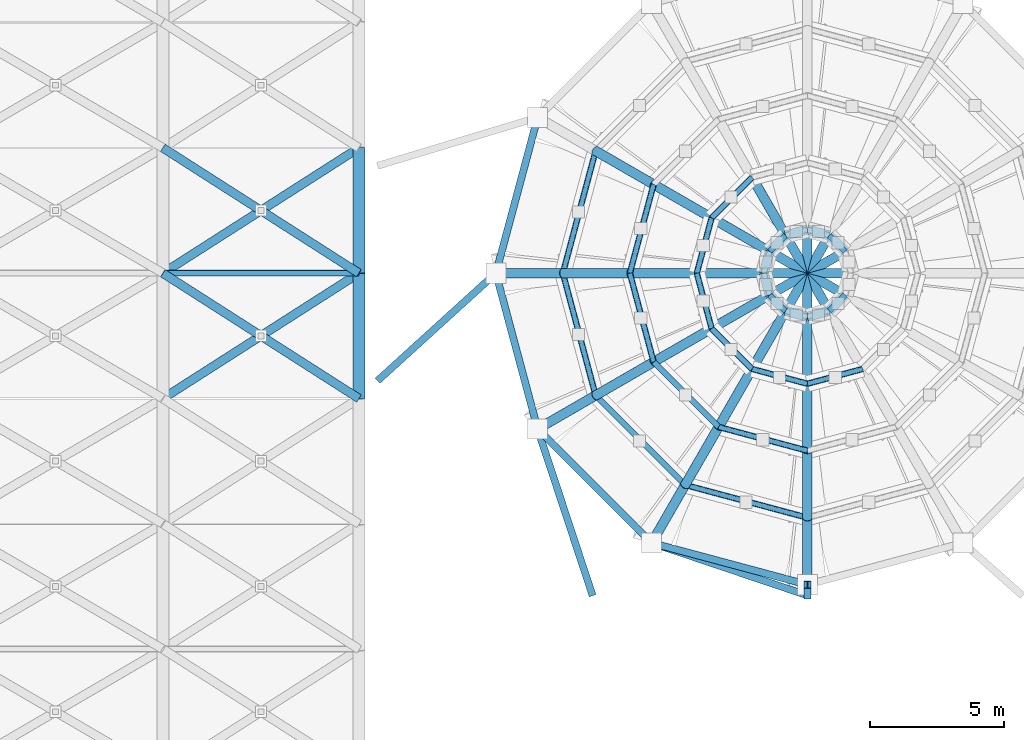
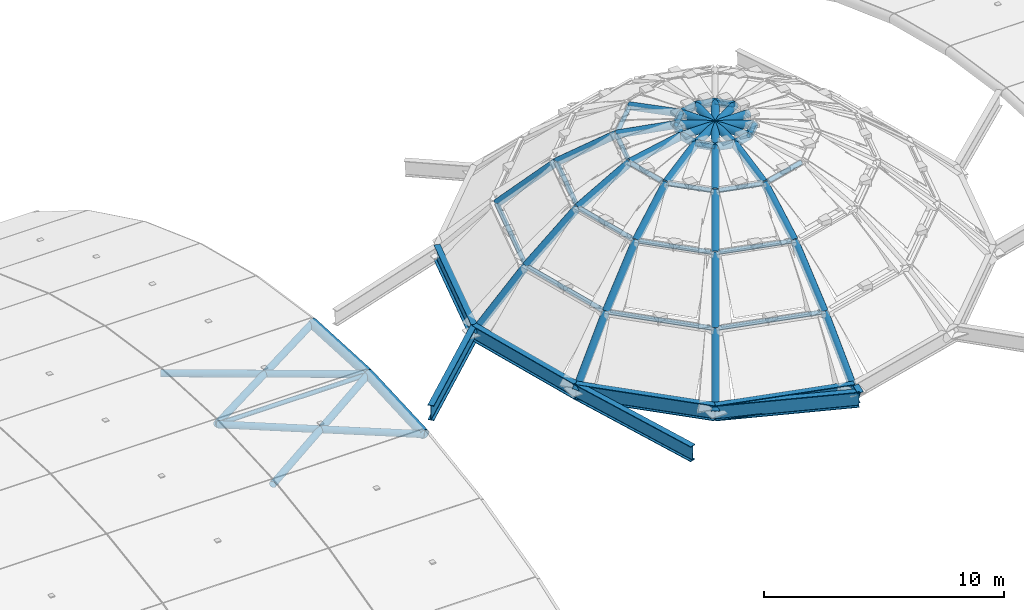
# One storey, part 4 of 21: 69 members, 8 beams.
"""IFC4 building model written with IfcOpenShell, lengths in metres."""

from ifc_helpers import new_model, si_unit, direction, frame, origin, origin_2d, place, context, subcontext, project, spatial, hollow_circle, i_section, extrude, material, material_profile, profile_set, type_object, element, save


model = new_model("IFC4")

# Units and contexts
model_context = context("Model", 3, precision=1e-05, world=origin(), true_north=direction((0.0, 1.0)))
body_context = subcontext(model_context, "Body", "Model", "MODEL_VIEW")
ifc_project = project(units=[si_unit("LENGTHUNIT", "METRE"), si_unit("AREAUNIT", "SQUARE_METRE"), si_unit("VOLUMEUNIT", "CUBIC_METRE"), si_unit("PLANEANGLEUNIT", "RADIAN"), si_unit("MASSUNIT", "GRAM", prefix="KILO")], contexts=[model_context])

# Site, building, storey
site_placement = place(None, origin())
site = spatial("IfcSite", under=ifc_project, at=site_placement, CompositionType="ELEMENT")
building_placement = place(site_placement, origin())
building = spatial("IfcBuilding", under=site, at=building_placement, Name="Solmirada Galleria", CompositionType="ELEMENT")
storey_placement = place(building_placement, frame((0.0, 0.0, 37.5)))
storey = spatial("IfcBuildingStorey", under=building, at=storey_placement, Name="RF", CompositionType="ELEMENT", Elevation=37.5)

# Beams
ifc_material_1 = material(Name="Steel S355 / ASTM A992 Grade 50", Category="steel")
ifc_material_profile_1 = material_profile(ifc_material_1, i_section(OverallWidth=0.26708984375, OverallDepth=0.779052734375, WebThickness=0.0166015625, FlangeThickness=0.030029296875, FilletRadius=0.01904296875, at=origin_2d()), Name="W30X148")
ifc_profile_set_1 = profile_set([ifc_material_profile_1], Name="Steel S355 / ASTM A992 Grade 50")
beam_type = type_object("IfcBeamType", Name="BM-DOME-RING", PredefinedType="BEAM", material=ifc_profile_set_1)
beam_1_placement = place(storey_placement, frame((85.9541015625, 65.800048828125, 0.0), z_axis=(-0.258831602855, -0.965922461362, 0.0), x_axis=(0.965922461362, -0.258831602855, 0.0)))
element("IfcBeam", 1, at=beam_1_placement, inside=storey, type_object=beam_type, Name="Atrium dome tension ring beam 6", PredefinedType="BEAM", context=body_context, shape_type="SweptSolid", body=[
    extrude(i_section(OverallWidth=0.26708984375, OverallDepth=0.779052734375, WebThickness=0.0166015625, FlangeThickness=0.030029296875, FilletRadius=0.01904296875, at=origin_2d()), origin(), (0.0, 0.0, 1.0), 6.004638671875),
])
beam_2_placement = place(storey_placement, frame((80.0, 56.0, -0.14990234375), z_axis=(0.739697640812, 0.672467325883, 0.025201107061), x_axis=(-0.672680968237, 0.739932642186, 0.0)))
element("IfcBeam", 2, at=beam_2_placement, inside=storey, type_object=beam_type, Name="Atrium dome drum anchor beam 7", PredefinedType="BEAM", context=body_context, shape_type="SweptSolid", body=[
    extrude(i_section(OverallWidth=0.26708984375, OverallDepth=0.779052734375, WebThickness=0.0166015625, FlangeThickness=0.030029296875, FilletRadius=0.01904296875, at=origin_2d()), origin(), (0.0, 0.0, 1.0), 5.9482421875),
])
beam_3_placement = place(storey_placement, frame((84.39990234375, 60.0, 0.0), z_axis=(0.258831602855, -0.965922461362, 0.0), x_axis=(0.965922461362, 0.258831602855, 0.0)))
element("IfcBeam", 3, at=beam_3_placement, inside=storey, type_object=beam_type, Name="Atrium dome tension ring beam 7", PredefinedType="BEAM", context=body_context, shape_type="SweptSolid", body=[
    extrude(i_section(OverallWidth=0.26708984375, OverallDepth=0.779052734375, WebThickness=0.0166015625, FlangeThickness=0.030029296875, FilletRadius=0.01904296875, at=origin_2d()), origin(), (0.0, 0.0, 1.0), 6.004638671875),
])
beam_4_placement = place(storey_placement, frame((88.0, 48.0, -0.14990234375), z_axis=(-0.313283085441, 0.949382333504, 0.02295415447), x_axis=(-0.949632543935, -0.313365651434, 0.0)))
element("IfcBeam", 4, at=beam_4_placement, inside=storey, type_object=beam_type, Name="Atrium dome drum anchor beam 8", PredefinedType="BEAM", context=body_context, shape_type="SweptSolid", body=[
    extrude(i_section(OverallWidth=0.26708984375, OverallDepth=0.779052734375, WebThickness=0.0166015625, FlangeThickness=0.030029296875, FilletRadius=0.01904296875, at=origin_2d()), origin(), (0.0, 0.0, 1.0), 6.530517578125),
])
beam_5_placement = place(storey_placement, frame((85.9541015625, 54.199951171875, 0.0), z_axis=(0.707106781187, -0.707106781187, 0.0), x_axis=(0.707106781187, 0.707106781187, 0.0)))
element("IfcBeam", 5, at=beam_5_placement, inside=storey, type_object=beam_type, Name="Atrium dome tension ring beam 8", PredefinedType="BEAM", context=body_context, shape_type="SweptSolid", body=[
    extrude(i_section(OverallWidth=0.26708984375, OverallDepth=0.779052734375, WebThickness=0.0166015625, FlangeThickness=0.030029296875, FilletRadius=0.01904296875, at=origin_2d()), origin(), (0.0, 0.0, 1.0), 6.004638671875),
])
beam_6_placement = place(storey_placement, frame((96.0, 48.0, -0.14990234375), z_axis=(-0.947377090434, 0.319181977179, 0.024484974261), x_axis=(-0.319277697246, -0.947661201085, 0.0)))
element("IfcBeam", 6, at=beam_6_placement, inside=storey, type_object=beam_type, Name="Atrium dome drum anchor beam 9", PredefinedType="BEAM", context=body_context, shape_type="SweptSolid", body=[
    extrude(i_section(OverallWidth=0.26708984375, OverallDepth=0.779052734375, WebThickness=0.0166015625, FlangeThickness=0.030029296875, FilletRadius=0.01904296875, at=origin_2d()), origin(), (0.0, 0.0, 1.0), 6.122314453125),
])
beam_7_placement = place(storey_placement, frame((90.199951171875, 49.9541015625, 0.0), z_axis=(0.965922461362, -0.258831602855, 0.0), x_axis=(0.258831602855, 0.965922461362, 0.0)))
element("IfcBeam", 7, at=beam_7_placement, inside=storey, type_object=beam_type, Name="Atrium dome tension ring beam 9", PredefinedType="BEAM", context=body_context, shape_type="SweptSolid", body=[
    extrude(i_section(OverallWidth=0.26708984375, OverallDepth=0.779052734375, WebThickness=0.0166015625, FlangeThickness=0.030029296875, FilletRadius=0.01904296875, at=origin_2d()), origin(), (0.0, 0.0, 1.0), 6.004638671875),
])
beam_8_placement = place(storey_placement, frame((96.0, 48.0, -0.14990234375), z_axis=(0.0, 0.936376154793, 0.350998143494), x_axis=(-1.0, 0.0, 0.0)))
element("IfcBeam", 8, at=beam_8_placement, inside=storey, type_object=beam_type, Name="Atrium dome drum anchor beam 10", PredefinedType="BEAM", context=body_context, shape_type="SweptSolid", body=[
    extrude(i_section(OverallWidth=0.26708984375, OverallDepth=0.779052734375, WebThickness=0.0166015625, FlangeThickness=0.030029296875, FilletRadius=0.01904296875, at=origin_2d()), origin(), (0.0, 0.0, 1.0), 0.427001953125),
])

# Members
ifc_material_2 = material(Name="Steel S355 / ASTM A500 Grade C", Category="steel")
ifc_material_profile_2 = material_profile(ifc_material_2, hollow_circle(Radius=0.109619140625, WallThickness=0.007568359375, at=origin_2d()), Name="HSS8.625X0.322")
ifc_profile_set_2 = profile_set([ifc_material_profile_2], Name="Steel S355 / ASTM A500 Grade C")
member_type_1 = type_object("IfcMemberType", Name="MEM-DOME-PURL", PredefinedType="PURLIN", material=ifc_profile_set_2)
member_1_placement = place(storey_placement, frame((72.0, 60.0, -0.360107421875), z_axis=(1.0, 0.0, 0.0), x_axis=(0.0, 1.0, 0.0)))
element("IfcMember", 9, at=member_1_placement, inside=storey, type_object=member_type_1, Name="Barrel gridshell longitudinal tie W06-06", PredefinedType="PURLIN", context=body_context, shape_type="SweptSolid", body=[
    extrude(hollow_circle(Radius=0.109619140625, WallThickness=0.007568359375, at=origin_2d()), origin(), (0.0, 0.0, 1.0), 7.300048828125),
])
for number, where, z_axis, x_axis, name in (
    (10, (88.114013671875, 64.552978515625, 2.4873046875), (-0.258819794647, -0.965925625449, 0.0), (0.965925625449, -0.258819794647, 0.0), "Atrium dome latitude ring purlin 6.1"),
    (11, (86.89404296875, 60.0, 2.4873046875), (0.258819794647, -0.965925625449, 0.0), (0.965925625449, 0.258819794647, 0.0), "Atrium dome latitude ring purlin 7.1"),
    (12, (88.114013671875, 55.447021484375, 2.4873046875), (0.707106781187, -0.707106781187, 0.0), (0.707106781187, 0.707106781187, 0.0), "Atrium dome latitude ring purlin 8.1"),
    (13, (91.447021484375, 52.114013671875, 2.4873046875), (0.965925625449, -0.258819794647, 0.0), (0.258819794647, 0.965925625449, 0.0), "Atrium dome latitude ring purlin 9.1"),
):
    element("IfcMember", number, at=place(storey_placement, frame(where, z_axis=z_axis, x_axis=x_axis)), inside=storey, type_object=member_type_1, Name=name, PredefinedType="PURLIN", context=body_context, shape_type="SweptSolid", body=[
        extrude(hollow_circle(Radius=0.109619140625, WallThickness=0.007568359375, at=origin_2d()), origin(), (0.0, 0.0, 1.0), 4.713623046875),
    ])
for number, where, z_axis, x_axis, name in (
    (14, (90.273681640625, 63.305908203125, 4.59619140625), (-0.258799077462, -0.965931176381, 0.0), (0.965931176381, -0.258799077462, 0.0), "Atrium dome latitude ring purlin 6.2"),
    (15, (89.387939453125, 60.0, 4.59619140625), (0.258799077462, -0.965931176381, 0.0), (0.965931176381, 0.258799077462, 0.0), "Atrium dome latitude ring purlin 7.2"),
):
    element("IfcMember", number, at=place(storey_placement, frame(where, z_axis=z_axis, x_axis=x_axis)), inside=storey, type_object=member_type_1, Name=name, PredefinedType="PURLIN", context=body_context, shape_type="SweptSolid", body=[
        extrude(hollow_circle(Radius=0.109619140625, WallThickness=0.007568359375, at=origin_2d()), origin(), (0.0, 0.0, 1.0), 3.422607421875),
    ])
member_2_placement = place(storey_placement, frame((90.273681640625, 56.694091796875, 4.59619140625), z_axis=(0.707106781187, -0.707106781187, 0.0), x_axis=(0.707106781187, 0.707106781187, 0.0)))
element("IfcMember", 16, at=member_2_placement, inside=storey, type_object=member_type_1, Name="Atrium dome latitude ring purlin 8.2", PredefinedType="PURLIN", context=body_context, shape_type="SweptSolid", body=[
    extrude(hollow_circle(Radius=0.109619140625, WallThickness=0.007568359375, at=origin_2d()), origin(), (0.0, 0.0, 1.0), 3.423095703125),
])
member_3_placement = place(storey_placement, frame((92.694091796875, 54.273681640625, 4.59619140625), z_axis=(0.965931176381, -0.258799077462, 0.0), x_axis=(0.258799077462, 0.965931176381, 0.0)))
element("IfcMember", 17, at=member_3_placement, inside=storey, type_object=member_type_1, Name="Atrium dome latitude ring purlin 9.2", PredefinedType="PURLIN", context=body_context, shape_type="SweptSolid", body=[
    extrude(hollow_circle(Radius=0.109619140625, WallThickness=0.007568359375, at=origin_2d()), origin(), (0.0, 0.0, 1.0), 3.422607421875),
])
for number, where, z_axis, x_axis, name in (
    (18, (93.94091796875, 63.56640625, 6.005126953125), (-0.707106781187, -0.707106781187, 0.0), (0.707106781187, -0.707106781187, 0.0), "Atrium dome latitude ring purlin 5.3"),
    (19, (92.43359375, 62.05908203125, 6.005126953125), (-0.258724635553, -0.965951118307, 0.0), (0.965951118307, -0.258724635553, 0.0), "Atrium dome latitude ring purlin 6.3"),
    (20, (91.882080078125, 60.0, 6.005126953125), (0.258724635553, -0.965951118307, 0.0), (0.965951118307, 0.258724635553, 0.0), "Atrium dome latitude ring purlin 7.3"),
    (21, (92.43359375, 57.94091796875, 6.005126953125), (0.707106781187, -0.707106781187, 0.0), (0.707106781187, 0.707106781187, 0.0), "Atrium dome latitude ring purlin 8.3"),
    (22, (93.94091796875, 56.43359375, 6.005126953125), (0.965951118307, -0.258724635553, 0.0), (0.258724635553, 0.965951118307, 0.0), "Atrium dome latitude ring purlin 9.3"),
    (23, (96.0, 55.882080078125, 6.005126953125), (0.965951118307, 0.258724635553, 0.0), (-0.258724635553, 0.965951118307, 0.0), "Atrium dome latitude ring purlin 10.3"),
):
    element("IfcMember", number, at=place(storey_placement, frame(where, z_axis=z_axis, x_axis=x_axis)), inside=storey, type_object=member_type_1, Name=name, PredefinedType="PURLIN", context=body_context, shape_type="SweptSolid", body=[
        extrude(hollow_circle(Radius=0.109619140625, WallThickness=0.007568359375, at=origin_2d()), origin(), (0.0, 0.0, 1.0), 2.131591796875),
    ])
for number, where, z_axis, x_axis, name in (
    (24, (97.406494140625, 60.81201171875, 6.5), (-0.707106781187, 0.707106781187, 0.0), (-0.707106781187, -0.707106781187, 0.0), "Atrium dome latitude ring purlin 2.4"),
    (25, (95.18798828125, 61.406494140625, 6.5), (-0.707106781187, -0.707106781187, 0.0), (0.707106781187, -0.707106781187, 0.0), "Atrium dome latitude ring purlin 5.4"),
    (26, (94.593505859375, 59.18798828125, 6.5), (0.707106781187, -0.707106781187, 0.0), (0.707106781187, 0.707106781187, 0.0), "Atrium dome latitude ring purlin 8.4"),
    (27, (96.81201171875, 58.593505859375, 6.5), (0.707106781187, 0.707106781187, 0.0), (-0.707106781187, 0.707106781187, 0.0), "Atrium dome latitude ring purlin 11.4"),
):
    element("IfcMember", number, at=place(storey_placement, frame(where, z_axis=z_axis, x_axis=x_axis)), inside=storey, type_object=member_type_1, Name=name, PredefinedType="PURLIN", context=body_context, shape_type="SweptSolid", body=[
        extrude(hollow_circle(Radius=0.109619140625, WallThickness=0.007568359375, at=origin_2d()), origin(), (0.0, 0.0, 1.0), 0.8408203125),
    ])
ifc_material_profile_3 = material_profile(ifc_material_2, hollow_circle(Radius=0.177978515625, WallThickness=0.01171875, at=origin_2d()), Name="HSS14.000X0.500")
ifc_profile_set_3 = profile_set([ifc_material_profile_3], Name="Steel S355 / ASTM A500 Grade C")
member_type_2 = type_object("IfcMemberType", Name="MEM-DOME-RIB", PredefinedType="RAFTER", material=ifc_profile_set_3)
member_4_placement = place(storey_placement, frame((97.6240234375, 60.0, 6.5), z_axis=(-1.0, 0.0, 0.0), x_axis=(0.0, -1.0, 0.0)))
element("IfcMember", 28, at=member_4_placement, inside=storey, type_object=member_type_2, Name="Atrium dome apex hub rib 1", PredefinedType="RAFTER", context=body_context, shape_type="SweptSolid", body=[
    extrude(hollow_circle(Radius=0.177978515625, WallThickness=0.01171875, at=origin_2d()), origin(), (0.0, 0.0, 1.0), 1.6240234375),
])
member_5_placement = place(storey_placement, frame((97.406494140625, 60.81201171875, 6.5), z_axis=(-0.707106781187, 0.707106781187, 0.0), x_axis=(-0.707106781187, -0.707106781187, 0.0)))
element("IfcMember", 29, at=member_5_placement, inside=storey, type_object=member_type_2, Name="Atrium dome crown compression ring 2", PredefinedType="RAFTER", context=body_context, shape_type="SweptSolid", body=[
    extrude(hollow_circle(Radius=0.177978515625, WallThickness=0.01171875, at=origin_2d()), origin(), (0.0, 0.0, 1.0), 0.8408203125),
])
member_6_placement = place(storey_placement, frame((97.406494140625, 60.81201171875, 6.5), z_axis=(-0.866032882975, -0.499987045439, 0.0), x_axis=(0.499987045439, -0.866032882975, 0.0)))
element("IfcMember", 30, at=member_6_placement, inside=storey, type_object=member_type_2, Name="Atrium dome apex hub rib 2", PredefinedType="RAFTER", context=body_context, shape_type="SweptSolid", body=[
    extrude(hollow_circle(Radius=0.177978515625, WallThickness=0.01171875, at=origin_2d()), origin(), (0.0, 0.0, 1.0), 1.6240234375),
])
member_7_placement = place(storey_placement, frame((96.81201171875, 61.406494140625, 6.5), z_axis=(-0.965940274247, 0.258765118567, 0.0), x_axis=(-0.258765118567, -0.965940274247, 0.0)))
element("IfcMember", 31, at=member_7_placement, inside=storey, type_object=member_type_2, Name="Atrium dome crown compression ring 3", PredefinedType="RAFTER", context=body_context, shape_type="SweptSolid", body=[
    extrude(hollow_circle(Radius=0.177978515625, WallThickness=0.01171875, at=origin_2d()), origin(), (0.0, 0.0, 1.0), 0.840576171875),
])
member_8_placement = place(storey_placement, frame((96.81201171875, 61.406494140625, 6.5), z_axis=(-0.499987045439, -0.866032882975, 0.0), x_axis=(0.866032882975, -0.499987045439, 0.0)))
element("IfcMember", 32, at=member_8_placement, inside=storey, type_object=member_type_2, Name="Atrium dome apex hub rib 3", PredefinedType="RAFTER", context=body_context, shape_type="SweptSolid", body=[
    extrude(hollow_circle(Radius=0.177978515625, WallThickness=0.01171875, at=origin_2d()), origin(), (0.0, 0.0, 1.0), 1.6240234375),
])
member_9_placement = place(storey_placement, frame((96.0, 61.6240234375, 6.5), z_axis=(-0.965940274247, -0.258765118567, 0.0), x_axis=(0.258765118567, -0.965940274247, 0.0)))
element("IfcMember", 33, at=member_9_placement, inside=storey, type_object=member_type_2, Name="Atrium dome crown compression ring 4", PredefinedType="RAFTER", context=body_context, shape_type="SweptSolid", body=[
    extrude(hollow_circle(Radius=0.177978515625, WallThickness=0.01171875, at=origin_2d()), origin(), (0.0, 0.0, 1.0), 0.840576171875),
])
member_10_placement = place(storey_placement, frame((96.0, 61.6240234375, 6.5), z_axis=(0.0, -1.0, 0.0), x_axis=(1.0, 0.0, 0.0)))
element("IfcMember", 34, at=member_10_placement, inside=storey, type_object=member_type_2, Name="Atrium dome apex hub rib 4", PredefinedType="RAFTER", context=body_context, shape_type="SweptSolid", body=[
    extrude(hollow_circle(Radius=0.177978515625, WallThickness=0.01171875, at=origin_2d()), origin(), (0.0, 0.0, 1.0), 1.6240234375),
])
member_11_placement = place(storey_placement, frame((95.18798828125, 61.406494140625, 6.5), z_axis=(-0.707106781187, -0.707106781187, 0.0), x_axis=(0.707106781187, -0.707106781187, 0.0)))
element("IfcMember", 35, at=member_11_placement, inside=storey, type_object=member_type_2, Name="Atrium dome crown compression ring 5", PredefinedType="RAFTER", context=body_context, shape_type="SweptSolid", body=[
    extrude(hollow_circle(Radius=0.177978515625, WallThickness=0.01171875, at=origin_2d()), origin(), (0.0, 0.0, 1.0), 0.8408203125),
])
member_12_placement = place(storey_placement, frame((95.18798828125, 61.406494140625, 6.5), z_axis=(0.499987045439, -0.866032882975, 0.0), x_axis=(0.866032882975, 0.499987045439, 0.0)))
element("IfcMember", 36, at=member_12_placement, inside=storey, type_object=member_type_2, Name="Atrium dome apex hub rib 5", PredefinedType="RAFTER", context=body_context, shape_type="SweptSolid", body=[
    extrude(hollow_circle(Radius=0.177978515625, WallThickness=0.01171875, at=origin_2d()), origin(), (0.0, 0.0, 1.0), 1.6240234375),
])
member_13_placement = place(storey_placement, frame((94.593505859375, 60.81201171875, 6.5), z_axis=(-0.258765118567, -0.965940274247, 0.0), x_axis=(0.965940274247, -0.258765118567, 0.0)))
element("IfcMember", 37, at=member_13_placement, inside=storey, type_object=member_type_2, Name="Atrium dome crown compression ring 6", PredefinedType="RAFTER", context=body_context, shape_type="SweptSolid", body=[
    extrude(hollow_circle(Radius=0.177978515625, WallThickness=0.01171875, at=origin_2d()), origin(), (0.0, 0.0, 1.0), 0.840576171875),
])
member_14_placement = place(storey_placement, frame((94.593505859375, 60.81201171875, 6.5), z_axis=(0.866032882975, -0.499987045439, 0.0), x_axis=(0.499987045439, 0.866032882975, 0.0)))
element("IfcMember", 38, at=member_14_placement, inside=storey, type_object=member_type_2, Name="Atrium dome apex hub rib 6", PredefinedType="RAFTER", context=body_context, shape_type="SweptSolid", body=[
    extrude(hollow_circle(Radius=0.177978515625, WallThickness=0.01171875, at=origin_2d()), origin(), (0.0, 0.0, 1.0), 1.6240234375),
])
member_15_placement = place(storey_placement, frame((94.3759765625, 60.0, 6.5), z_axis=(0.258765118567, -0.965940274247, 0.0), x_axis=(0.965940274247, 0.258765118567, 0.0)))
element("IfcMember", 39, at=member_15_placement, inside=storey, type_object=member_type_2, Name="Atrium dome crown compression ring 7", PredefinedType="RAFTER", context=body_context, shape_type="SweptSolid", body=[
    extrude(hollow_circle(Radius=0.177978515625, WallThickness=0.01171875, at=origin_2d()), origin(), (0.0, 0.0, 1.0), 0.840576171875),
])
member_16_placement = place(storey_placement, frame((94.3759765625, 60.0, 6.5), z_axis=(1.0, 0.0, 0.0), x_axis=(0.0, 1.0, 0.0)))
element("IfcMember", 40, at=member_16_placement, inside=storey, type_object=member_type_2, Name="Atrium dome apex hub rib 7", PredefinedType="RAFTER", context=body_context, shape_type="SweptSolid", body=[
    extrude(hollow_circle(Radius=0.177978515625, WallThickness=0.01171875, at=origin_2d()), origin(), (0.0, 0.0, 1.0), 1.6240234375),
])
member_17_placement = place(storey_placement, frame((94.593505859375, 59.18798828125, 6.5), z_axis=(0.707106781187, -0.707106781187, 0.0), x_axis=(0.707106781187, 0.707106781187, 0.0)))
element("IfcMember", 41, at=member_17_placement, inside=storey, type_object=member_type_2, Name="Atrium dome crown compression ring 8", PredefinedType="RAFTER", context=body_context, shape_type="SweptSolid", body=[
    extrude(hollow_circle(Radius=0.177978515625, WallThickness=0.01171875, at=origin_2d()), origin(), (0.0, 0.0, 1.0), 0.8408203125),
])
member_18_placement = place(storey_placement, frame((94.593505859375, 59.18798828125, 6.5), z_axis=(0.866032882975, 0.499987045439, 0.0), x_axis=(-0.499987045439, 0.866032882975, 0.0)))
element("IfcMember", 42, at=member_18_placement, inside=storey, type_object=member_type_2, Name="Atrium dome apex hub rib 8", PredefinedType="RAFTER", context=body_context, shape_type="SweptSolid", body=[
    extrude(hollow_circle(Radius=0.177978515625, WallThickness=0.01171875, at=origin_2d()), origin(), (0.0, 0.0, 1.0), 1.6240234375),
])
member_19_placement = place(storey_placement, frame((95.18798828125, 58.593505859375, 6.5), z_axis=(0.965940274247, -0.258765118567, 0.0), x_axis=(0.258765118567, 0.965940274247, 0.0)))
element("IfcMember", 43, at=member_19_placement, inside=storey, type_object=member_type_2, Name="Atrium dome crown compression ring 9", PredefinedType="RAFTER", context=body_context, shape_type="SweptSolid", body=[
    extrude(hollow_circle(Radius=0.177978515625, WallThickness=0.01171875, at=origin_2d()), origin(), (0.0, 0.0, 1.0), 0.840576171875),
])
member_20_placement = place(storey_placement, frame((95.18798828125, 58.593505859375, 6.5), z_axis=(0.499987045439, 0.866032882975, 0.0), x_axis=(-0.866032882975, 0.499987045439, 0.0)))
element("IfcMember", 44, at=member_20_placement, inside=storey, type_object=member_type_2, Name="Atrium dome apex hub rib 9", PredefinedType="RAFTER", context=body_context, shape_type="SweptSolid", body=[
    extrude(hollow_circle(Radius=0.177978515625, WallThickness=0.01171875, at=origin_2d()), origin(), (0.0, 0.0, 1.0), 1.6240234375),
])
member_21_placement = place(storey_placement, frame((96.0, 58.3759765625, 6.5), z_axis=(0.965940274247, 0.258765118567, 0.0), x_axis=(-0.258765118567, 0.965940274247, 0.0)))
element("IfcMember", 45, at=member_21_placement, inside=storey, type_object=member_type_2, Name="Atrium dome crown compression ring 10", PredefinedType="RAFTER", context=body_context, shape_type="SweptSolid", body=[
    extrude(hollow_circle(Radius=0.177978515625, WallThickness=0.01171875, at=origin_2d()), origin(), (0.0, 0.0, 1.0), 0.840576171875),
])
member_22_placement = place(storey_placement, frame((96.0, 58.3759765625, 6.5), z_axis=(0.0, 1.0, 0.0), x_axis=(-1.0, 0.0, 0.0)))
element("IfcMember", 46, at=member_22_placement, inside=storey, type_object=member_type_2, Name="Atrium dome apex hub rib 10", PredefinedType="RAFTER", context=body_context, shape_type="SweptSolid", body=[
    extrude(hollow_circle(Radius=0.177978515625, WallThickness=0.01171875, at=origin_2d()), origin(), (0.0, 0.0, 1.0), 1.6240234375),
])
member_23_placement = place(storey_placement, frame((96.81201171875, 58.593505859375, 6.5), z_axis=(0.707106781187, 0.707106781187, 0.0), x_axis=(-0.707106781187, 0.707106781187, 0.0)))
element("IfcMember", 47, at=member_23_placement, inside=storey, type_object=member_type_2, Name="Atrium dome crown compression ring 11", PredefinedType="RAFTER", context=body_context, shape_type="SweptSolid", body=[
    extrude(hollow_circle(Radius=0.177978515625, WallThickness=0.01171875, at=origin_2d()), origin(), (0.0, 0.0, 1.0), 0.8408203125),
])
for number, where, z_axis, x_axis, name in (
    (48, (96.81201171875, 58.593505859375, 6.5), (-0.499987045439, 0.866032882975, 0.0), (-0.866032882975, -0.499987045439, 0.0), "Atrium dome apex hub rib 11"),
    (49, (97.406494140625, 59.18798828125, 6.5), (-0.866032882975, 0.499987045439, 0.0), (-0.499987045439, -0.866032882975, 0.0), "Atrium dome apex hub rib 12"),
):
    element("IfcMember", number, at=place(storey_placement, frame(where, z_axis=z_axis, x_axis=x_axis)), inside=storey, type_object=member_type_2, Name=name, PredefinedType="RAFTER", context=body_context, shape_type="SweptSolid", body=[
        extrude(hollow_circle(Radius=0.177978515625, WallThickness=0.01171875, at=origin_2d()), origin(), (0.0, 0.0, 1.0), 1.6240234375),
    ])
for number, where, z_axis, x_axis, name in (
    (50, (84.39990234375, 60.0, 0.0), (0.708076462934, 0.0, 0.706135767851), (0.0, 1.0, 0.0), "Atrium dome meridian rib 7.1"),
    (51, (85.9541015625, 54.199951171875, 0.0), (0.613198558699, 0.354042979296, 0.706145237484), (-0.500013374061, 0.866017682129, 0.0), "Atrium dome meridian rib 8.1"),
    (52, (90.199951171875, 49.9541015625, 0.0), (0.354042979296, 0.613198558699, 0.706145237484), (-0.866017682129, 0.500013374061, 0.0), "Atrium dome meridian rib 9.1"),
    (53, (96.0, 48.39990234375, 0.0), (0.0, 0.708076462934, 0.706135767851), (-1.0, 0.0, 0.0), "Atrium dome meridian rib 10.1"),
):
    element("IfcMember", number, at=place(storey_placement, frame(where, z_axis=z_axis, x_axis=x_axis)), inside=storey, type_object=member_type_2, Name=name, PredefinedType="RAFTER", context=body_context, shape_type="SweptSolid", body=[
        extrude(hollow_circle(Radius=0.177978515625, WallThickness=0.01171875, at=origin_2d()), origin(), (0.0, 0.0, 1.0), 3.5224609375),
    ])
for number, where, z_axis, x_axis, name in (
    (54, (88.114013671875, 64.552978515625, 2.4873046875), (0.661257882083, -0.381834191915, 0.645709426343), (0.500055764683, 0.865993205636, 0.0), "Atrium dome meridian rib 6.2"),
    (55, (86.89404296875, 60.0, 2.4873046875), (0.763587562078, 0.0, 0.645704293806), (0.0, 1.0, 0.0), "Atrium dome meridian rib 7.2"),
    (56, (88.114013671875, 55.447021484375, 2.4873046875), (0.661257882083, 0.381834191915, 0.645709426343), (-0.500055764683, 0.865993205636, 0.0), "Atrium dome meridian rib 8.2"),
    (57, (91.447021484375, 52.114013671875, 2.4873046875), (0.381834191915, 0.661257882083, 0.645709426343), (-0.865993205636, 0.500055764683, 0.0), "Atrium dome meridian rib 9.2"),
    (58, (96.0, 50.89404296875, 2.4873046875), (0.0, 0.763587562078, 0.645704293806), (-1.0, 0.0, 0.0), "Atrium dome meridian rib 10.2"),
):
    element("IfcMember", number, at=place(storey_placement, frame(where, z_axis=z_axis, x_axis=x_axis)), inside=storey, type_object=member_type_2, Name=name, PredefinedType="RAFTER", context=body_context, shape_type="SweptSolid", body=[
        extrude(hollow_circle(Radius=0.177978515625, WallThickness=0.01171875, at=origin_2d()), origin(), (0.0, 0.0, 1.0), 3.26611328125),
    ])
for number, where, z_axis, x_axis, name in (
    (59, (90.273681640625, 63.305908203125, 4.59619140625), (0.754048985924, -0.435280679452, 0.491874838676), (0.499939953764, 0.866060068719, 0.0), "Atrium dome meridian rib 6.3"),
    (60, (89.387939453125, 60.0, 4.59619140625), (0.870681862804, 0.0, 0.491846616116), (0.0, 1.0, 0.0), "Atrium dome meridian rib 7.3"),
    (61, (90.273681640625, 56.694091796875, 4.59619140625), (0.754048985924, 0.435280679452, 0.491874838676), (-0.499939953764, 0.866060068719, 0.0), "Atrium dome meridian rib 8.3"),
    (62, (92.694091796875, 54.273681640625, 4.59619140625), (0.435280679452, 0.754048985924, 0.491874838676), (-0.866060068719, 0.499939953764, 0.0), "Atrium dome meridian rib 9.3"),
    (63, (96.0, 53.387939453125, 4.59619140625), (0.0, 0.870681862804, 0.491846616116), (-1.0, 0.0, 0.0), "Atrium dome meridian rib 10.3"),
):
    element("IfcMember", number, at=place(storey_placement, frame(where, z_axis=z_axis, x_axis=x_axis)), inside=storey, type_object=member_type_2, Name=name, PredefinedType="RAFTER", context=body_context, shape_type="SweptSolid", body=[
        extrude(hollow_circle(Radius=0.177978515625, WallThickness=0.01171875, at=origin_2d()), origin(), (0.0, 0.0, 1.0), 2.864501953125),
    ])
for number, where, z_axis, x_axis, name in (
    (64, (93.94091796875, 63.56640625, 6.005126953125), (0.490451949205, -0.849457399103, 0.194625313437), (0.866017682129, 0.500013374061, 0.0), "Atrium dome meridian rib 5.4"),
    (65, (92.43359375, 62.05908203125, 6.005126953125), (0.849457399103, -0.490451949205, 0.194625313437), (0.500013374061, 0.866017682129, 0.0), "Atrium dome meridian rib 6.4"),
):
    element("IfcMember", number, at=place(storey_placement, frame(where, z_axis=z_axis, x_axis=x_axis)), inside=storey, type_object=member_type_2, Name=name, PredefinedType="RAFTER", context=body_context, shape_type="SweptSolid", body=[
        extrude(hollow_circle(Radius=0.177978515625, WallThickness=0.01171875, at=origin_2d()), origin(), (0.0, 0.0, 1.0), 2.542724609375),
    ])
member_24_placement = place(storey_placement, frame((91.882080078125, 60.0, 6.005126953125), z_axis=(0.980875018314, 0.0, 0.194638635548), x_axis=(0.0, 1.0, 0.0)))
element("IfcMember", 66, at=member_24_placement, inside=storey, type_object=member_type_2, Name="Atrium dome meridian rib 7.4", PredefinedType="RAFTER", context=body_context, shape_type="SweptSolid", body=[
    extrude(hollow_circle(Radius=0.177978515625, WallThickness=0.01171875, at=origin_2d()), origin(), (0.0, 0.0, 1.0), 2.54248046875),
])
for number, where, z_axis, x_axis, name in (
    (67, (92.43359375, 57.94091796875, 6.005126953125), (0.849457399103, 0.490451949205, 0.194625313437), (-0.500013374061, 0.866017682129, 0.0), "Atrium dome meridian rib 8.4"),
    (68, (93.94091796875, 56.43359375, 6.005126953125), (0.490451949205, 0.849457399103, 0.194625313437), (-0.866017682129, 0.500013374061, 0.0), "Atrium dome meridian rib 9.4"),
):
    element("IfcMember", number, at=place(storey_placement, frame(where, z_axis=z_axis, x_axis=x_axis)), inside=storey, type_object=member_type_2, Name=name, PredefinedType="RAFTER", context=body_context, shape_type="SweptSolid", body=[
        extrude(hollow_circle(Radius=0.177978515625, WallThickness=0.01171875, at=origin_2d()), origin(), (0.0, 0.0, 1.0), 2.542724609375),
    ])
member_25_placement = place(storey_placement, frame((96.0, 55.882080078125, 6.005126953125), z_axis=(0.0, 0.980875018314, 0.194638635548), x_axis=(-1.0, 0.0, 0.0)))
element("IfcMember", 69, at=member_25_placement, inside=storey, type_object=member_type_2, Name="Atrium dome meridian rib 10.4", PredefinedType="RAFTER", context=body_context, shape_type="SweptSolid", body=[
    extrude(hollow_circle(Radius=0.177978515625, WallThickness=0.01171875, at=origin_2d()), origin(), (0.0, 0.0, 1.0), 2.54248046875),
])
ifc_material_profile_4 = material_profile(ifc_material_2, hollow_circle(Radius=0.228515625, WallThickness=0.01171875, at=origin_2d()), Name="HSS18.000X0.500")
ifc_profile_set_4 = profile_set([ifc_material_profile_4], Name="Steel S355 / ASTM A500 Grade C")
member_type_3 = type_object("IfcMemberType", Name="MEM-VAULT-ARCH2", PredefinedType="RAFTER", material=ifc_profile_set_4)
for number, where, z_axis, x_axis, name in (
    (70, (79.300048828125, 55.333251953125, -0.5908203125), (0.0, 0.998780196655, 0.049377310271), (-1.0, 0.0, 0.0), "Barrel vault arch rib W07-05"),
    (71, (79.300048828125, 60.0, -0.360107421875), (0.0, 0.998780196655, -0.049377310271), (-1.0, 0.0, 0.0), "Barrel vault arch rib W07-06"),
):
    element("IfcMember", number, at=place(storey_placement, frame(where, z_axis=z_axis, x_axis=x_axis)), inside=storey, type_object=member_type_3, Name=name, PredefinedType="RAFTER", context=body_context, shape_type="SweptSolid", body=[
        extrude(hollow_circle(Radius=0.228515625, WallThickness=0.01171875, at=origin_2d()), origin(), (0.0, 0.0, 1.0), 4.67236328125),
    ])
ifc_material_profile_5 = material_profile(ifc_material_2, hollow_circle(Radius=0.162109375, WallThickness=0.0087890625, at=origin_2d()), Name="HSS12.750X0.375")
ifc_profile_set_5 = profile_set([ifc_material_profile_5], Name="Steel S355 / ASTM A500 Grade C")
member_type_4 = type_object("IfcMemberType", Name="MEM-VAULT-DIAG", PredefinedType="BRACE", material=ifc_profile_set_5)
member_26_placement = place(storey_placement, frame((72.0, 55.333251953125, -0.5908203125), z_axis=(0.842249594376, 0.538430186164, 0.026618703946), x_axis=(-0.538621041402, 0.842548143289, 0.0)))
element("IfcMember", 72, at=member_26_placement, inside=storey, type_object=member_type_4, Name="Barrel gridshell continuous diagonal W06-05", PredefinedType="BRACE", context=body_context, shape_type="SweptSolid", body=[
    extrude(hollow_circle(Radius=0.162109375, WallThickness=0.0087890625, at=origin_2d()), origin(), (0.0, 0.0, 1.0), 8.667236328125),
])
member_27_placement = place(storey_placement, frame((72.0, 60.0, -0.360107421875), z_axis=(0.842254813666, -0.538423361485, -0.026591590104), x_axis=(0.538613825489, 0.842552756207, 0.0)))
element("IfcMember", 73, at=member_27_placement, inside=storey, type_object=member_type_4, Name="Barrel gridshell split diagonal B1 W06-05", PredefinedType="BRACE", context=body_context, shape_type="SweptSolid", body=[
    extrude(hollow_circle(Radius=0.162109375, WallThickness=0.0087890625, at=origin_2d()), origin(), (0.0, 0.0, 1.0), 4.33349609375),
])
member_28_placement = place(storey_placement, frame((75.64990234375, 57.666748046875, -0.475341796875), z_axis=(0.84224437482, -0.538437009867, -0.026645815617), x_axis=(0.538628256713, 0.842543530668, 0.0)))
element("IfcMember", 74, at=member_28_placement, inside=storey, type_object=member_type_4, Name="Barrel gridshell split diagonal B2 W06-05", PredefinedType="BRACE", context=body_context, shape_type="SweptSolid", body=[
    extrude(hollow_circle(Radius=0.162109375, WallThickness=0.0087890625, at=origin_2d()), origin(), (0.0, 0.0, 1.0), 4.333740234375),
])
member_29_placement = place(storey_placement, frame((72.0, 60.0, -0.360107421875), z_axis=(0.842249594376, 0.538430186164, -0.026618703946), x_axis=(-0.538621041402, 0.842548143289, 0.0)))
element("IfcMember", 75, at=member_29_placement, inside=storey, type_object=member_type_4, Name="Barrel gridshell continuous diagonal W06-06", PredefinedType="BRACE", context=body_context, shape_type="SweptSolid", body=[
    extrude(hollow_circle(Radius=0.162109375, WallThickness=0.0087890625, at=origin_2d()), origin(), (0.0, 0.0, 1.0), 8.667236328125),
])
member_30_placement = place(storey_placement, frame((72.0, 64.666748046875, -0.5908203125), z_axis=(0.842253550533, -0.53842255401, 0.026647888254), x_axis=(0.538613825489, 0.842552756207, 0.0)))
element("IfcMember", 76, at=member_30_placement, inside=storey, type_object=member_type_4, Name="Barrel gridshell split diagonal B1 W06-06", PredefinedType="BRACE", context=body_context, shape_type="SweptSolid", body=[
    extrude(hollow_circle(Radius=0.162109375, WallThickness=0.0087890625, at=origin_2d()), origin(), (0.0, 0.0, 1.0), 4.33349609375),
])
member_31_placement = place(storey_placement, frame((75.64990234375, 62.33349609375, -0.475341796875), z_axis=(0.842245637742, -0.538437817239, 0.026589521839), x_axis=(0.538628256713, 0.842543530668, 0.0)))
element("IfcMember", 77, at=member_31_placement, inside=storey, type_object=member_type_4, Name="Barrel gridshell split diagonal B2 W06-06", PredefinedType="BRACE", context=body_context, shape_type="SweptSolid", body=[
    extrude(hollow_circle(Radius=0.162109375, WallThickness=0.0087890625, at=origin_2d()), origin(), (0.0, 0.0, 1.0), 4.333740234375),
])

save(model, "model.ifc")
